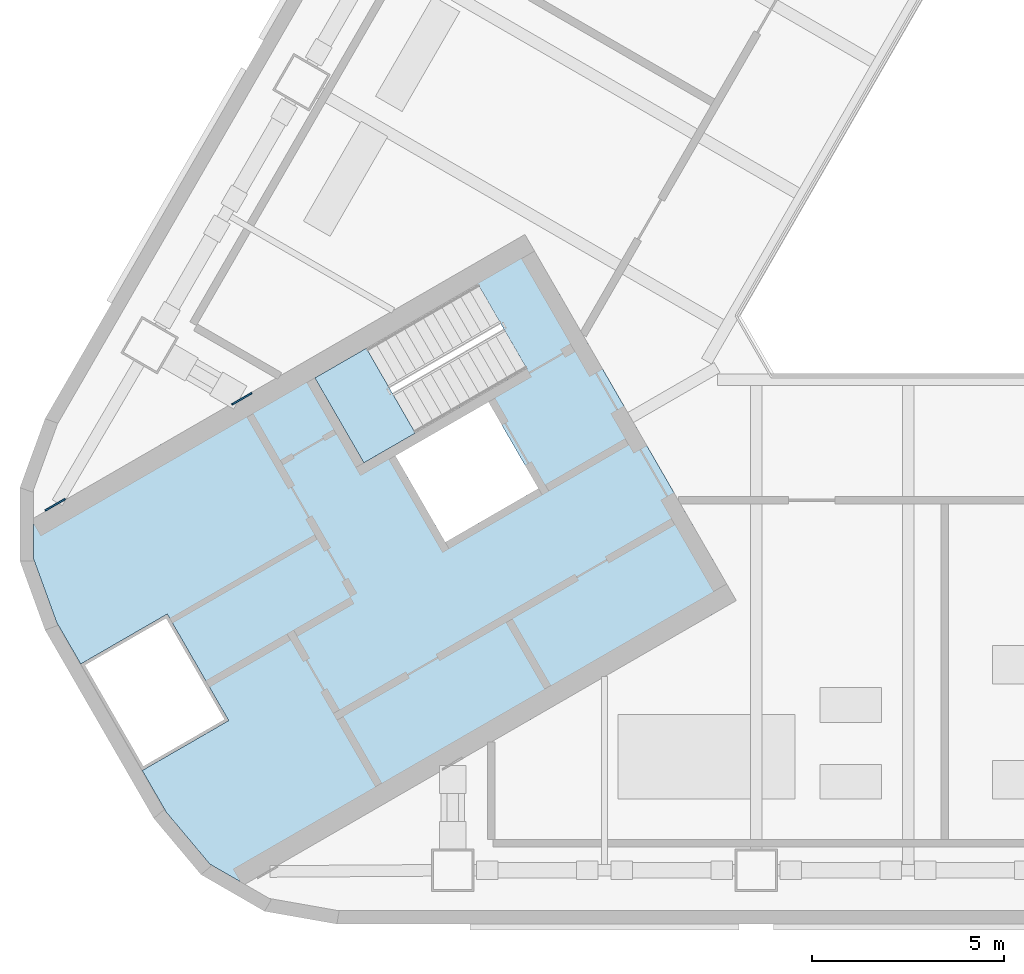
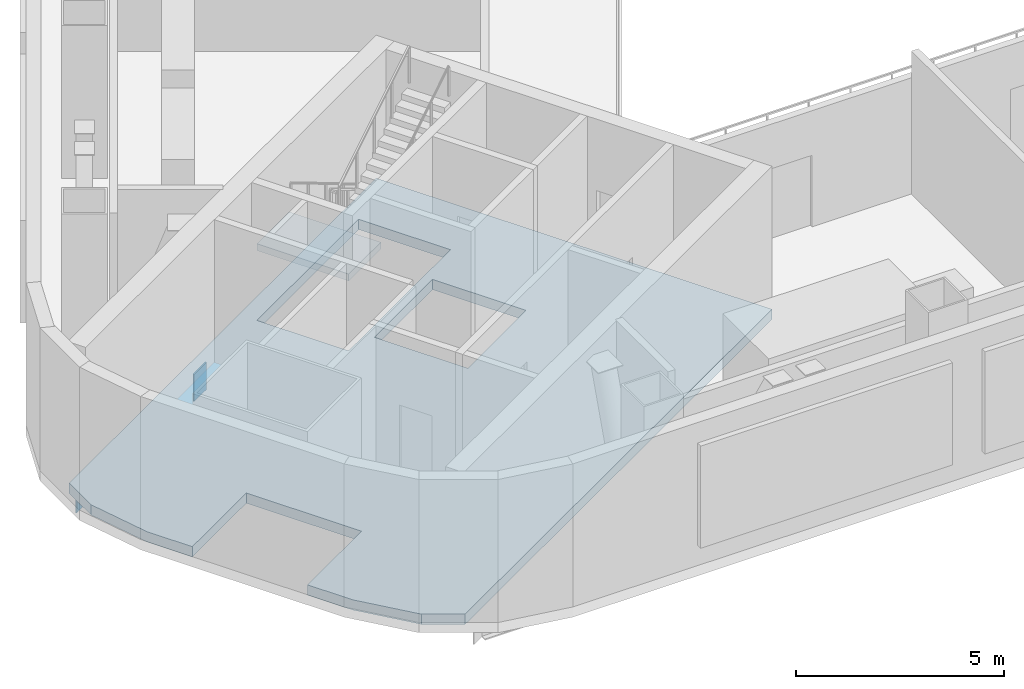
# One storey, part 4 of 15: 2 plates, 2 slabs, 1 element without a shape of its own.
"""IFC4 building model written with IfcOpenShell, lengths in metres."""

from ifc_helpers import new_model, si_unit, direction, frame, origin, origin_2d, place, context, subcontext, project, spatial, polyline, rectangle, outline, extrude, material, layer, layer_set, type_object, element, aggregate, save


model = new_model("IFC4")

# Units and contexts
model_context = context("Model", 3, precision=1e-05, world=origin(), true_north=direction((0.0, 1.0)))
body_context = subcontext(model_context, "Body", "Model", "MODEL_VIEW")
ifc_project = project(units=[si_unit("LENGTHUNIT", "METRE"), si_unit("AREAUNIT", "SQUARE_METRE"), si_unit("VOLUMEUNIT", "CUBIC_METRE"), si_unit("PLANEANGLEUNIT", "RADIAN"), si_unit("MASSUNIT", "GRAM", prefix="KILO")], contexts=[model_context])

# Site, building, storey
site_placement = place(None, origin())
site = spatial("IfcSite", under=ifc_project, at=site_placement, CompositionType="ELEMENT")
building_placement = place(site_placement, origin())
building = spatial("IfcBuilding", under=site, at=building_placement, Name="Apuvela Tower Hotel", CompositionType="ELEMENT")
storey_placement = place(building_placement, frame((0.0, 0.0, 37.5)))
storey = spatial("IfcBuildingStorey", under=building, at=storey_placement, Name="L06 Plant", CompositionType="ELEMENT", Elevation=37.5)

# Slab
ifc_material_1 = material(Name="Concrete C50/60", Category="concrete")
ifc_layer_1 = layer(ifc_material_1, 0.300048828125)
ifc_layer_set_1 = layer_set([ifc_layer_1], Name="COR-FLOOR-300")
slab_type_1 = type_object("IfcSlabType", Name="COR-FLOOR-300", PredefinedType="FLOOR", material=ifc_layer_set_1)
slab_1_placement = place(storey_placement, frame((0.0, 0.0, -0.300048828125)))
element("IfcSlab", 1, at=slab_1_placement, inside=storey, type_object=slab_type_1, Name="Core floor SW", PredefinedType="FLOOR", context=body_context, shape_type="SweptSolid", body=[
    extrude(outline(polyline([(-26.711181640625, -9.07080078125), (-26.711181640625, -10.123291015625), (-26.109375, -11.77734375), (-25.481689453125, -12.864501953125), (-23.22998046875, -11.564453125), (-21.630126953125, -14.335693359375), (-23.881591796875, -15.635498046875), (-23.254150390625, -16.72265625), (-22.122802734375, -18.071044921875), (-21.211181640625, -18.59716796875), (-8.421630859375, -11.213134765625), (-13.921630859375, -1.68701171875), (-26.711181640625, -9.07080078125)]), holes=[polyline([(-13.874267578125, -5.18115234375), (-18.112548828125, -7.628173828125), (-19.387451171875, -5.419921875), (-15.149169921875, -2.972900390625), (-13.874267578125, -5.18115234375)]), polyline([(-13.56982421875, -8.29638671875), (-15.99462890625, -9.6962890625), (-17.294677734375, -7.444580078125), (-14.869873046875, -6.044677734375), (-13.56982421875, -8.29638671875)])]), origin(), (0.0, 0.0, 1.0), 0.300048828125),
])

# Stair, slab
stair_type = type_object("IfcStairType", Name="COR-STAIR-26R", PredefinedType="HALF_TURN_STAIR", material=ifc_material_1)
stair_placement = place(storey_placement, origin())
stair = element("IfcStair", 2, at=stair_placement, inside=storey, type_object=stair_type, Name="L06 Plant Exit stair ST2", PredefinedType="HALF_TURN_STAIR")
ifc_layer_2 = layer(ifc_material_1, 0.199951171875)
ifc_layer_set_2 = layer_set([ifc_layer_2], Name="COR-LANDING-200")
slab_type_2 = type_object("IfcSlabType", Name="COR-LANDING-200", PredefinedType="LANDING", material=ifc_layer_set_2)
slab_2_placement = place(storey_placement, frame((0.0, 0.0, 2.050048828125)))
slab_2 = element("IfcSlab", 3, at=slab_2_placement, type_object=slab_type_2, Name="ST2 landing 1", PredefinedType="LANDING", context=body_context, shape_type="SweptSolid", body=[
    extrude(outline(polyline([(-18.048583984375, -4.64697265625), (-19.387451171875, -5.419921875), (-18.112548828125, -7.628173828125), (-16.773681640625, -6.855224609375), (-18.048583984375, -4.64697265625)])), origin(), (0.0, 0.0, 1.0), 0.199951171875),
])
aggregate(stair, [slab_2])

# Plates
ifc_material_2 = material(Name="Steel S355", Category="steel")
ifc_layer_3 = layer(ifc_material_2, 0.0400390625)
ifc_layer_set_3 = layer_set([ifc_layer_3], Name="STR-CP 40 Steel S355")
plate_type = type_object("IfcPlateType", Name="STR-CP 40 Steel S355", PredefinedType="SHEET", material=ifc_layer_set_3)
for number, where, z_axis, x_axis, name in (
    (4, (-26.142578125, -8.719482421875, -1.10693359375), (0.0, 0.0, 1.0), (-0.5, 0.866025403784, 0.0), "Cast-in plate CP-T0-6 40"),
    (5, (-21.2900390625, -5.964111328125, -1.2041015625), (0.0, 0.0, 1.0), (0.5, -0.866025403784, 0.0), "Cast-in plate CP-T0-10 40"),
):
    element("IfcPlate", number, at=place(storey_placement, frame(where, z_axis=z_axis, x_axis=x_axis)), inside=storey, type_object=plate_type, Name=name, PredefinedType="SHEET", context=body_context, shape_type="SweptSolid", body=[
        extrude(rectangle(XDim=0.0400390625, YDim=0.60009765625, at=origin_2d()), origin(), (0.0, 0.0, 1.0), 0.800048828125),
    ])

save(model, "model.ifc")
